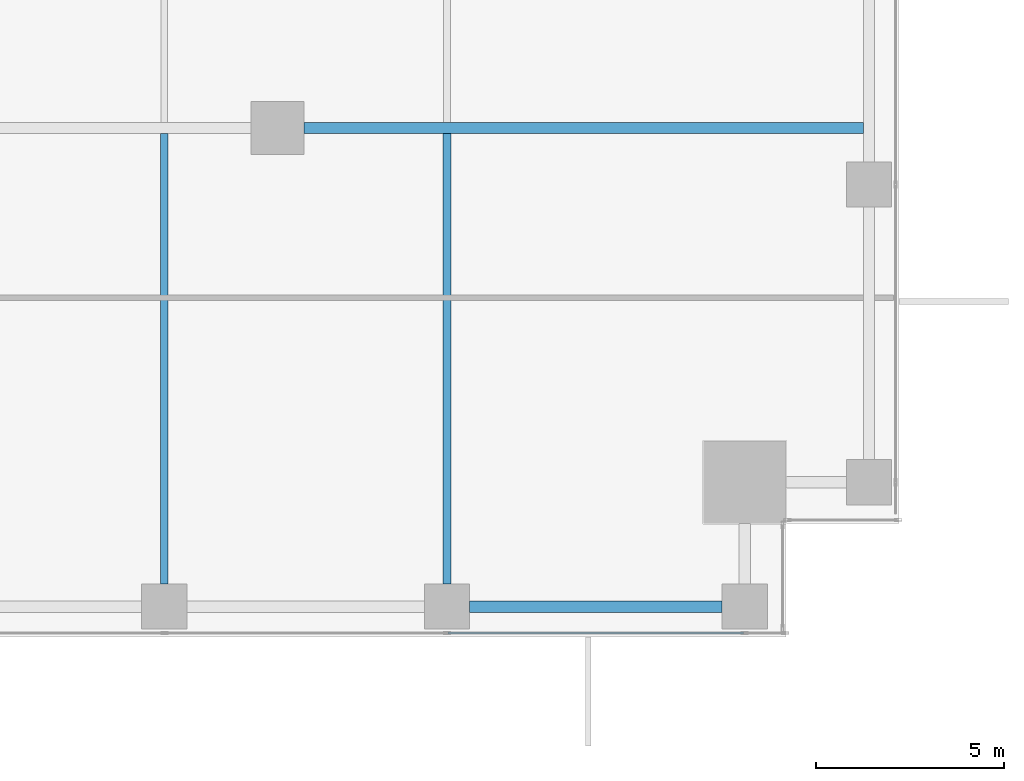
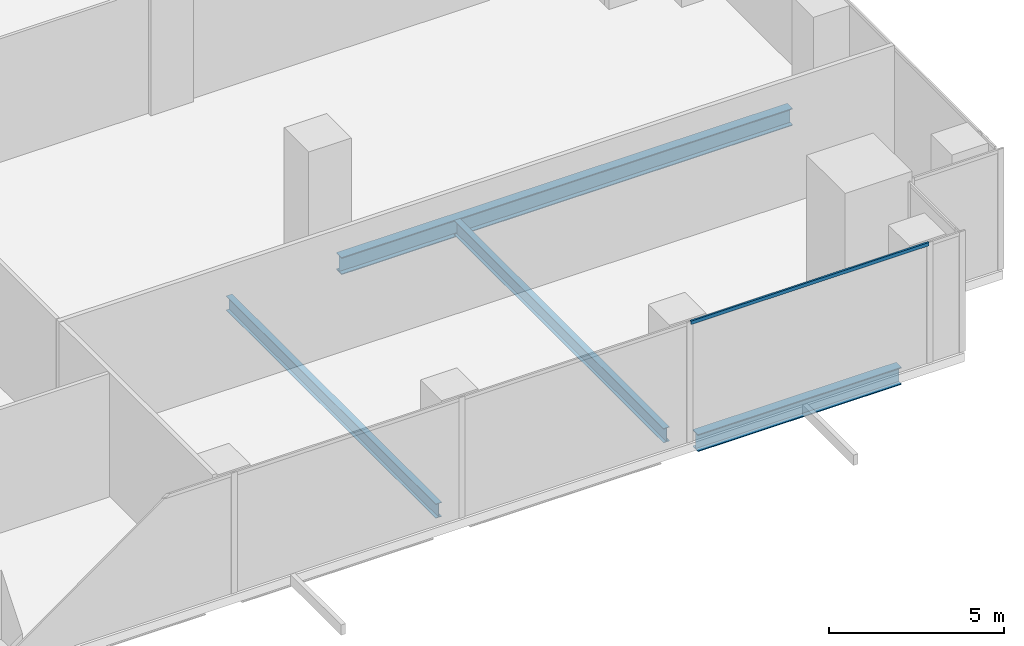
# One storey, part 8 of 33: 4 beams, 1 member, 1 element without a shape of its own.
"""IFC4 building model written with IfcOpenShell, lengths in metres."""

from ifc_helpers import new_model, si_unit, direction, frame, origin, origin_2d, place, context, subcontext, project, spatial, hollow_rectangle, i_section, extrude, source, transform, mapped, material, material_profile, profile_set, type_object, element, aggregate, save


model = new_model("IFC4")

# Units and contexts
model_context = context("Model", 3, precision=1e-05, world=origin(), true_north=direction((0.0, 1.0)))
body_context = subcontext(model_context, "Body", "Model", "MODEL_VIEW")
ifc_project = project(units=[si_unit("LENGTHUNIT", "METRE"), si_unit("AREAUNIT", "SQUARE_METRE"), si_unit("VOLUMEUNIT", "CUBIC_METRE"), si_unit("PLANEANGLEUNIT", "RADIAN"), si_unit("MASSUNIT", "GRAM", prefix="KILO")], contexts=[model_context])

# Site, building, storey
site_placement = place(None, origin())
site = spatial("IfcSite", under=ifc_project, at=site_placement, CompositionType="ELEMENT")
building_placement = place(site_placement, origin())
building = spatial("IfcBuilding", under=site, at=building_placement, Name="Khomas Fold Tower", CompositionType="ELEMENT")
storey_placement = place(building_placement, frame((0.0, 0.0, 78.0)))
storey = spatial("IfcBuildingStorey", under=building, at=storey_placement, Name="L16", CompositionType="ELEMENT", Elevation=78.0)

# Beams
ifc_material_1 = material(Name="Steel S355", Category="steel")
ifc_material_profile_1 = material_profile(ifc_material_1, i_section(OverallWidth=0.300048828125, OverallDepth=0.60009765625, WebThickness=0.015380859375, FlangeThickness=0.030029296875, at=origin_2d()), Name="HE 600 B")
ifc_profile_set_1 = profile_set([ifc_material_profile_1], Name="Steel S355")
beam_type_1 = type_object("IfcBeamType", Name="HE 600 B spandrel SB1", PredefinedType="SPANDREL", material=ifc_profile_set_1)
shared_shape_1 = source(origin(), body_context, "Body", "SweptSolid", [
    extrude(i_section(OverallWidth=0.300048828125, OverallDepth=0.60009765625, WebThickness=0.015380859375, FlangeThickness=0.030029296875, at=origin_2d()), origin(), (0.0, 0.0, 1.0), 6.699951171875),
])
beam_1_placement = place(storey_placement, frame((42.60009765625, 0.800048828125, -0.60009765625), z_axis=(1.0, 0.0, 0.0), x_axis=(0.0, 1.0, 0.0)))
element("IfcBeam", 1, at=beam_1_placement, inside=storey, type_object=beam_type_1, Name="SB1", PredefinedType="SPANDREL", context=body_context, shape_type="MappedRepresentation", body=[
    mapped(shared_shape_1, transform((0.0, 0.0, 0.0))),
])
ifc_material_2 = material(Name="Steel S355", Category="steel")
ifc_material_profile_2 = material_profile(ifc_material_2, i_section(OverallWidth=0.300048828125, OverallDepth=0.60009765625, WebThickness=0.015380859375, FlangeThickness=0.030029296875, at=origin_2d()), Name="HE 600 B")
ifc_profile_set_2 = profile_set([ifc_material_profile_2], Name="Steel S355")
beam_type_2 = type_object("IfcBeamType", Name="HE 600 B beam GB5", PredefinedType="BEAM", material=ifc_profile_set_2)
shared_shape_2 = source(origin(), body_context, "Body", "SweptSolid", [
    extrude(i_section(OverallWidth=0.300048828125, OverallDepth=0.60009765625, WebThickness=0.015380859375, FlangeThickness=0.030029296875, at=origin_2d()), origin(), (0.0, 0.0, 1.0), 14.85009765625),
])
beam_2_placement = place(storey_placement, frame((38.199951171875, 13.5, -0.60009765625), z_axis=(1.0, 0.0, 0.0), x_axis=(0.0, 1.0, 0.0)))
element("IfcBeam", 2, at=beam_2_placement, inside=storey, type_object=beam_type_2, Name="GB5", PredefinedType="BEAM", context=body_context, shape_type="MappedRepresentation", body=[
    mapped(shared_shape_2, transform((0.0, 0.0, 0.0))),
])
ifc_material_3 = material(Name="Steel S355", Category="steel")
ifc_material_profile_3 = material_profile(ifc_material_3, i_section(OverallWidth=0.199951171875, OverallDepth=0.5, WebThickness=0.01025390625, FlangeThickness=0.01611328125, at=origin_2d()), Name="IPE 500")
ifc_profile_set_3 = profile_set([ifc_material_profile_3], Name="Steel S355")
beam_type_3 = type_object("IfcBeamType", Name="IPE 500 beam JB5", PredefinedType="BEAM", material=ifc_profile_set_3)
shared_shape_3 = source(origin(), body_context, "Body", "SweptSolid", [
    extrude(i_section(OverallWidth=0.199951171875, OverallDepth=0.5, WebThickness=0.01025390625, FlangeThickness=0.01611328125, at=origin_2d()), origin(), (0.0, 0.0, 1.0), 11.9501953125),
])
for number, where, z_axis, x_axis, name in (
    (3, (34.5, 1.39990234375, -0.550048828125), (0.0, 1.0, 0.0), (-1.0, 0.0, 0.0), "JB5"),
    (4, (42.0, 1.39990234375, -0.550048828125), (0.0, 1.0, 0.0), (-1.0, 0.0, 0.0), "JB5"),
):
    element("IfcBeam", number, at=place(storey_placement, frame(where, z_axis=z_axis, x_axis=x_axis)), inside=storey, type_object=beam_type_3, Name=name, PredefinedType="BEAM", context=body_context, shape_type="MappedRepresentation", body=[
        mapped(shared_shape_3, transform((0.0, 0.0, 0.0))),
    ])

# Curtain wall, member
ifc_material_4 = material(Name="Aluminium framed double glazing", Category="aluminium")
curtain_wall_type = type_object("IfcCurtainWallType", Name="SK-Unitised clear-glass wall, growing floors CW1", PredefinedType="NOTDEFINED", material=ifc_material_4)
curtain_wall_placement = place(storey_placement, origin())
curtain_wall = element("IfcCurtainWall", 5, at=curtain_wall_placement, inside=storey, type_object=curtain_wall_type, Name="CW1 run L16 00-0", PredefinedType="NOTDEFINED")
ifc_material_5 = material(Name="Aluminium", Category="aluminium")
ifc_material_profile_4 = material_profile(ifc_material_5, hollow_rectangle(XDim=0.06005859375, YDim=0.1201171875, WallThickness=0.00390625, at=origin_2d()), Name="SK-Unitised clear-glass wall, growing floors transom CW1-T")
ifc_profile_set_4 = profile_set([ifc_material_profile_4], Name="Aluminium")
member_type = type_object("IfcMemberType", Name="SK-Unitised clear-glass wall, growing floors transom CW1-T", PredefinedType="USERDEFINED", material=ifc_profile_set_4)
shared_shape_4 = source(origin(), body_context, "Body", "SweptSolid", [
    extrude(hollow_rectangle(XDim=0.06005859375, YDim=0.1201171875, WallThickness=0.00390625, at=origin_2d()), origin(), (0.0, 0.0, 1.0), 7.840087890625),
])
member_placement = place(storey_placement, frame((42.030029296875, 0.10009765625, 4.139892578125), z_axis=(1.0, 0.0, 0.0), x_axis=(0.0, 1.0, 0.0)))
member = element("IfcMember", 6, at=member_placement, type_object=member_type, Name="CW1 transom 7", ObjectType="TRANSOM", PredefinedType="USERDEFINED", context=body_context, shape_type="MappedRepresentation", body=[
    mapped(shared_shape_4, transform((0.0, 0.0, 0.0))),
])
aggregate(curtain_wall, [member])

save(model, "model.ifc")
